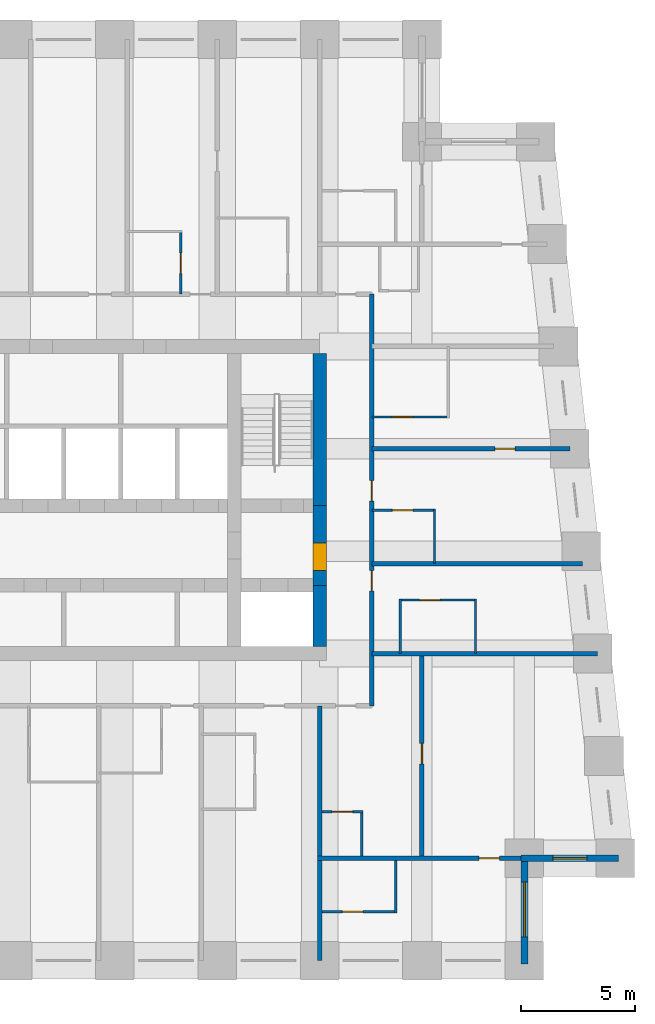
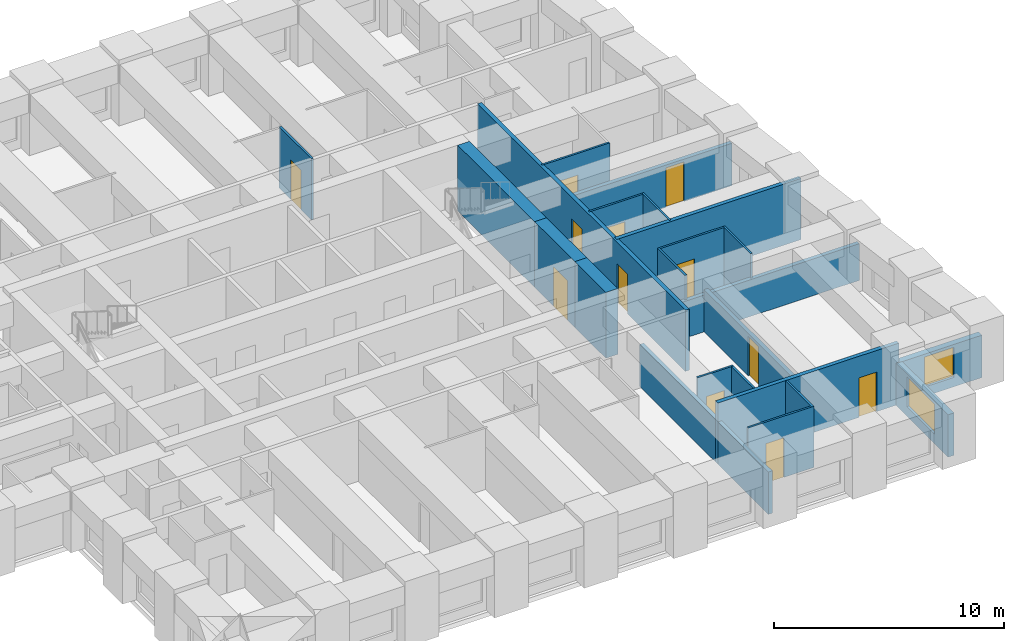
# One storey, part 5 of 8: 23 walls, 12 doors, 2 windows, 14 openings.
"""IFC4 building model written with IfcOpenShell, lengths in metres."""

from ifc_helpers import new_model, si_unit, direction, frame, frame_2d, origin, place, context, subcontext, project, spatial, rectangle, extrude, material, layer, layer_set, type_object, element, fill, save


model = new_model("IFC4")

# Units and contexts
model_context = context("Model", 3, precision=1e-05, world=origin(), true_north=direction((0.0, 1.0)))
body_context = subcontext(model_context, "Body", "Model", "MODEL_VIEW")
ifc_project = project(units=[si_unit("LENGTHUNIT", "METRE"), si_unit("AREAUNIT", "SQUARE_METRE"), si_unit("VOLUMEUNIT", "CUBIC_METRE"), si_unit("PLANEANGLEUNIT", "RADIAN"), si_unit("MASSUNIT", "GRAM", prefix="KILO")], contexts=[model_context])

# Site, building, storey
site_placement = place(None, origin())
site = spatial("IfcSite", under=ifc_project, at=site_placement, CompositionType="ELEMENT")
building_placement = place(site_placement, origin())
building = spatial("IfcBuilding", under=site, at=building_placement, Name="Kilele Tower Hotel", CompositionType="ELEMENT")
storey_placement = place(building_placement, frame((0.0, 0.0, 193.89990234375)))
storey = spatial("IfcBuildingStorey", under=building, at=storey_placement, Name="L50", CompositionType="ELEMENT", Elevation=193.89990234375)

# Walls
ifc_material_1 = material(Name="Moisture-resistant board")
ifc_layer_1 = layer(ifc_material_1, 0.10009765625)
ifc_layer_set_1 = layer_set([ifc_layer_1], Name="Moisture-resistant board")
wall_type_1 = type_object("IfcWallType", Name="Bathroom partition 100", PredefinedType="PLUMBINGWALL", material=ifc_layer_set_1)
for number, where, z_axis, x_axis, name in (
    (1, (39.550048828125, 13.5, 0.0), (0.0, 0.0, 1.0), (0.0, 1.0, 0.0), "Bathroom partition 100 L50"),
    (2, (42.85009765625, 13.5, 0.0), (0.0, 0.0, 1.0), (0.0, 1.0, 0.0), "Bathroom partition 100 L50"),
):
    element("IfcWall", number, at=place(storey_placement, frame(where, z_axis=z_axis, x_axis=x_axis)), inside=storey, type_object=wall_type_1, Name=name, PredefinedType="PLUMBINGWALL", context=body_context, shape_type="SweptSolid", body=[
        extrude(rectangle(XDim=2.39990234375, YDim=0.10009765625, at=frame_2d((1.199951171875, 0.0))), origin(), (0.0, 0.0, 1.0), 3.25),
    ])

# Wall, opening, door
wall_1_placement = place(storey_placement, frame((39.5, 15.85009765625, 0.0), z_axis=(0.0, 0.0, 1.0), x_axis=(1.0, 0.0, 0.0)))
wall_1 = element("IfcWall", 3, at=wall_1_placement, inside=storey, type_object=wall_type_1, Name="Bathroom partition 100 L50", PredefinedType="PLUMBINGWALL", context=body_context, shape_type="SweptSolid", body=[
    extrude(rectangle(XDim=3.39990234375, YDim=0.10009765625, at=frame_2d((1.699951171875, 0.0))), origin(), (0.0, 0.0, 1.0), 3.25),
])
opening_1_placement = place(wall_1_placement, frame((0.89990234375, 0.0, 0.0)))
opening_1 = element("IfcOpeningElement", 4, at=opening_1_placement, cuts=wall_1, Name="Opening D2A", PredefinedType="OPENING", context=body_context, shape_type="SweptSolid", body=[
    extrude(rectangle(XDim=0.89990234375, YDim=2.10009765625, at=frame_2d((0.449951171875, 1.050048828125))), frame((0.0, 0.06005859375, 0.0), z_axis=(0.0, -1.0, 0.0), x_axis=(1.0, 0.0, 0.0)), (0.0, 0.0, 1.0), 0.1201171875),
])
ifc_material_2 = material(Name="Timber door leaf in hardwood frame", Category="wood")
door_type_1 = type_object("IfcDoorType", Name="Bathroom door 900", OperationType="SINGLE_SWING_LEFT", PredefinedType="DOOR", material=ifc_material_2)
door_1_placement = place(opening_1_placement, origin())
door_1 = element("IfcDoor", 5, at=door_1_placement, inside=storey, type_object=door_type_1, Name="Bathroom door 5006B", OperationType="SINGLE_SWING_LEFT", OverallHeight=2.10009765625, OverallWidth=0.89990234375, PredefinedType="DOOR", context=body_context, shape_type="SweptSolid", body=[
    extrude(rectangle(XDim=0.89990234375, YDim=2.10009765625, at=frame_2d((0.449951171875, 1.050048828125))), frame((0.0, 0.02490234375, 0.0), z_axis=(0.0, -1.0, 0.0), x_axis=(1.0, 0.0, 0.0)), (0.0, 0.0, 1.0), 0.050048828125),
])
fill(opening_1, door_1)

# Wall
wall_2_placement = place(storey_placement, frame((41.050048828125, 17.449951171875, 0.0), z_axis=(0.0, 0.0, 1.0), x_axis=(0.0, 1.0, 0.0)))
element("IfcWall", 6, at=wall_2_placement, inside=storey, type_object=wall_type_1, Name="Bathroom partition 100 L50", PredefinedType="PLUMBINGWALL", context=body_context, shape_type="SweptSolid", body=[
    extrude(rectangle(XDim=2.400146484375, YDim=0.10009765625, at=frame_2d((1.2001953125, 0.0))), origin(), (0.0, 0.0, 1.0), 3.25),
])

# Wall, opening, door
wall_3_placement = place(storey_placement, frame((38.300048828125, 19.800048828125, 0.0), z_axis=(0.0, 0.0, 1.0), x_axis=(1.0, 0.0, 0.0)))
wall_3 = element("IfcWall", 7, at=wall_3_placement, inside=storey, type_object=wall_type_1, Name="Bathroom partition 100 L50", PredefinedType="PLUMBINGWALL", context=body_context, shape_type="SweptSolid", body=[
    extrude(rectangle(XDim=2.800048828125, YDim=0.10009765625, at=frame_2d((1.39990234375, 0.0))), origin(), (0.0, 0.0, 1.0), 3.25),
])
opening_2_placement = place(wall_3_placement, frame((0.89990234375, 0.0, 0.0)))
opening_2 = element("IfcOpeningElement", 8, at=opening_2_placement, cuts=wall_3, Name="Opening D2A", PredefinedType="OPENING", context=body_context, shape_type="SweptSolid", body=[
    extrude(rectangle(XDim=0.89990234375, YDim=2.10009765625, at=frame_2d((0.449951171875, 1.050048828125))), frame((0.0, 0.06005859375, 0.0), z_axis=(0.0, -1.0, 0.0), x_axis=(1.0, 0.0, 0.0)), (0.0, 0.0, 1.0), 0.1201171875),
])
door_2_placement = place(opening_2_placement, origin())
door_2 = element("IfcDoor", 9, at=door_2_placement, inside=storey, type_object=door_type_1, Name="Bathroom door 5007B", OperationType="SINGLE_SWING_LEFT", OverallHeight=2.10009765625, OverallWidth=0.89990234375, PredefinedType="DOOR", context=body_context, shape_type="SweptSolid", body=[
    extrude(rectangle(XDim=0.89990234375, YDim=2.10009765625, at=frame_2d((0.449951171875, 1.050048828125))), frame((0.0, 0.02490234375, 0.0), z_axis=(0.0, -1.0, 0.0), x_axis=(1.0, 0.0, 0.0)), (0.0, 0.0, 1.0), 0.050048828125),
])
fill(opening_2, door_2)

wall_4_placement = place(storey_placement, frame((38.300048828125, 23.89990234375, 0.0), z_axis=(0.0, 0.0, 1.0), x_axis=(1.0, 0.0, 0.0)))
wall_4 = element("IfcWall", 10, at=wall_4_placement, inside=storey, type_object=wall_type_1, Name="Bathroom partition 100 L50", PredefinedType="PLUMBINGWALL", context=body_context, shape_type="SweptSolid", body=[
    extrude(rectangle(XDim=3.39990234375, YDim=0.10009765625, at=frame_2d((1.699951171875, 0.0))), origin(), (0.0, 0.0, 1.0), 3.25),
])
opening_3_placement = place(wall_4_placement, frame((1.7998046875, 0.0, 0.0), z_axis=(0.0, 0.0, 1.0), x_axis=(-1.0, 0.0, 0.0)))
opening_3 = element("IfcOpeningElement", 11, at=opening_3_placement, cuts=wall_4, Name="Opening D2A", PredefinedType="OPENING", context=body_context, shape_type="SweptSolid", body=[
    extrude(rectangle(XDim=0.89990234375, YDim=2.10009765625, at=frame_2d((0.449951171875, 1.050048828125))), frame((0.0, 0.06005859375, 0.0), z_axis=(0.0, -1.0, 0.0), x_axis=(1.0, 0.0, 0.0)), (0.0, 0.0, 1.0), 0.1201171875),
])
door_3_placement = place(opening_3_placement, origin())
door_3 = element("IfcDoor", 12, at=door_3_placement, inside=storey, type_object=door_type_1, Name="Bathroom door 5008B", OperationType="SINGLE_SWING_RIGHT", OverallHeight=2.10009765625, OverallWidth=0.89990234375, PredefinedType="DOOR", context=body_context, shape_type="SweptSolid", body=[
    extrude(rectangle(XDim=0.89990234375, YDim=2.10009765625, at=frame_2d((0.449951171875, 1.050048828125))), frame((0.0, 0.02490234375, 0.0), z_axis=(0.0, -1.0, 0.0), x_axis=(1.0, 0.0, 0.0)), (0.0, 0.0, 1.0), 0.050048828125),
])
fill(opening_3, door_3)

wall_5_placement = place(storey_placement, frame((29.89990234375, 29.300048828125, 0.0), z_axis=(0.0, 0.0, 1.0), x_axis=(0.0, 1.0, 0.0)))
wall_5 = element("IfcWall", 13, at=wall_5_placement, inside=storey, type_object=wall_type_1, Name="Bathroom partition 100 L50", PredefinedType="PLUMBINGWALL", context=body_context, shape_type="SweptSolid", body=[
    extrude(rectangle(XDim=2.800048828125, YDim=0.10009765625, at=frame_2d((1.39990234375, 0.0))), origin(), (0.0, 0.0, 1.0), 3.25),
])
opening_4_placement = place(wall_5_placement, frame((1.7998046875, 0.0, 0.0), z_axis=(0.0, 0.0, 1.0), x_axis=(-1.0, 0.0, 0.0)))
opening_4 = element("IfcOpeningElement", 14, at=opening_4_placement, cuts=wall_5, Name="Opening D2A", PredefinedType="OPENING", context=body_context, shape_type="SweptSolid", body=[
    extrude(rectangle(XDim=0.89990234375, YDim=2.10009765625, at=frame_2d((0.449951171875, 1.050048828125))), frame((0.0, 0.06005859375, 0.0), z_axis=(0.0, -1.0, 0.0), x_axis=(1.0, 0.0, 0.0)), (0.0, 0.0, 1.0), 0.1201171875),
])
door_4_placement = place(opening_4_placement, origin())
door_4 = element("IfcDoor", 15, at=door_4_placement, inside=storey, type_object=door_type_1, Name="Bathroom door 5012B", OperationType="SINGLE_SWING_RIGHT", OverallHeight=2.10009765625, OverallWidth=0.89990234375, PredefinedType="DOOR", context=body_context, shape_type="SweptSolid", body=[
    extrude(rectangle(XDim=0.89990234375, YDim=2.10009765625, at=frame_2d((0.449951171875, 1.050048828125))), frame((0.0, 0.02490234375, 0.0), z_axis=(0.0, -1.0, 0.0), x_axis=(1.0, 0.0, 0.0)), (0.0, 0.0, 1.0), 0.050048828125),
])
fill(opening_4, door_4)

# Wall
wall_6_placement = place(storey_placement, frame((37.85009765625, 4.60009765625, 0.0), z_axis=(0.0, 0.0, 1.0), x_axis=(0.0, 1.0, 0.0)))
element("IfcWall", 16, at=wall_6_placement, inside=storey, type_object=wall_type_1, Name="Bathroom partition 100 L50", PredefinedType="PLUMBINGWALL", context=body_context, shape_type="SweptSolid", body=[
    extrude(rectangle(XDim=2.0, YDim=0.10009765625, at=frame_2d((1.0, 0.0))), origin(), (0.0, 0.0, 1.0), 3.25),
])

# Wall, opening, door
wall_7_placement = place(storey_placement, frame((36.10009765625, 6.550048828125, 0.0), z_axis=(0.0, 0.0, 1.0), x_axis=(1.0, 0.0, 0.0)))
wall_7 = element("IfcWall", 17, at=wall_7_placement, inside=storey, type_object=wall_type_1, Name="Bathroom partition 100 L50", PredefinedType="PLUMBINGWALL", context=body_context, shape_type="SweptSolid", body=[
    extrude(rectangle(XDim=1.7998046875, YDim=0.10009765625, at=frame_2d((0.89990234375, 0.0))), origin(), (0.0, 0.0, 1.0), 3.25),
])
opening_5_placement = place(wall_7_placement, frame((0.449951171875, 0.0, 0.0)))
opening_5 = element("IfcOpeningElement", 18, at=opening_5_placement, cuts=wall_7, Name="Opening D2A", PredefinedType="OPENING", context=body_context, shape_type="SweptSolid", body=[
    extrude(rectangle(XDim=0.89990234375, YDim=2.10009765625, at=frame_2d((0.449951171875, 1.050048828125))), frame((0.0, 0.06005859375, 0.0), z_axis=(0.0, -1.0, 0.0), x_axis=(1.0, 0.0, 0.0)), (0.0, 0.0, 1.0), 0.1201171875),
])
door_5_placement = place(opening_5_placement, origin())
door_5 = element("IfcDoor", 19, at=door_5_placement, inside=storey, type_object=door_type_1, Name="Bathroom door 5019P", OperationType="SINGLE_SWING_LEFT", OverallHeight=2.10009765625, OverallWidth=0.89990234375, PredefinedType="DOOR", context=body_context, shape_type="SweptSolid", body=[
    extrude(rectangle(XDim=0.89990234375, YDim=2.10009765625, at=frame_2d((0.449951171875, 1.050048828125))), frame((0.0, 0.02490234375, 0.0), z_axis=(0.0, -1.0, 0.0), x_axis=(1.0, 0.0, 0.0)), (0.0, 0.0, 1.0), 0.050048828125),
])
fill(opening_5, door_5)

# Wall
wall_8_placement = place(storey_placement, frame((39.35009765625, 4.39990234375, 0.0), z_axis=(0.0, 0.0, 1.0), x_axis=(0.0, -1.0, 0.0)))
element("IfcWall", 20, at=wall_8_placement, inside=storey, type_object=wall_type_1, Name="Bathroom partition 100 L50", PredefinedType="PLUMBINGWALL", context=body_context, shape_type="SweptSolid", body=[
    extrude(rectangle(XDim=2.2998046875, YDim=0.10009765625, at=frame_2d((1.14990234375, 0.0))), origin(), (0.0, 0.0, 1.0), 3.25),
])

# Wall, opening, door
wall_9_placement = place(storey_placement, frame((36.10009765625, 2.14990234375, 0.0), z_axis=(0.0, 0.0, 1.0), x_axis=(1.0, 0.0, 0.0)))
wall_9 = element("IfcWall", 21, at=wall_9_placement, inside=storey, type_object=wall_type_1, Name="Bathroom partition 100 L50", PredefinedType="PLUMBINGWALL", context=body_context, shape_type="SweptSolid", body=[
    extrude(rectangle(XDim=3.2998046875, YDim=0.10009765625, at=frame_2d((1.64990234375, 0.0))), origin(), (0.0, 0.0, 1.0), 3.25),
])
opening_6_placement = place(wall_9_placement, frame((1.7998046875, 0.0, 0.0), z_axis=(0.0, 0.0, 1.0), x_axis=(-1.0, 0.0, 0.0)))
opening_6 = element("IfcOpeningElement", 22, at=opening_6_placement, cuts=wall_9, Name="Opening D2A", PredefinedType="OPENING", context=body_context, shape_type="SweptSolid", body=[
    extrude(rectangle(XDim=0.89990234375, YDim=2.10009765625, at=frame_2d((0.449951171875, 1.050048828125))), frame((0.0, 0.06005859375, 0.0), z_axis=(0.0, -1.0, 0.0), x_axis=(1.0, 0.0, 0.0)), (0.0, 0.0, 1.0), 0.1201171875),
])
door_6_placement = place(opening_6_placement, origin())
door_6 = element("IfcDoor", 23, at=door_6_placement, inside=storey, type_object=door_type_1, Name="Bathroom door 5021B", OperationType="SINGLE_SWING_RIGHT", OverallHeight=2.10009765625, OverallWidth=0.89990234375, PredefinedType="DOOR", context=body_context, shape_type="SweptSolid", body=[
    extrude(rectangle(XDim=0.89990234375, YDim=2.10009765625, at=frame_2d((0.449951171875, 1.050048828125))), frame((0.0, 0.02490234375, 0.0), z_axis=(0.0, -1.0, 0.0), x_axis=(1.0, 0.0, 0.0)), (0.0, 0.0, 1.0), 0.050048828125),
])
fill(opening_6, door_6)

# Wall
ifc_material_3 = material(Name="Concrete C70/85", Category="concrete")
ifc_layer_2 = layer(ifc_material_3, 0.60009765625)
ifc_layer_set_2 = layer_set([ifc_layer_2], Name="Concrete C70/85")
wall_type_2 = type_object("IfcWallType", Name="Core wall 600 C70/85", PredefinedType="SHEAR", material=ifc_layer_set_2)
wall_10_placement = place(storey_placement, frame((36.0, 13.800048828125, 0.0), z_axis=(0.0, 0.0, 1.0), x_axis=(0.0, 1.0, 0.0)))
element("IfcWall", 24, at=wall_10_placement, inside=storey, type_object=wall_type_2, Name="Core wall E1 L50", PredefinedType="SHEAR", context=body_context, shape_type="SweptSolid", body=[
    extrude(rectangle(XDim=2.699951171875, YDim=0.60009765625, at=frame_2d((1.35009765625, 0.0))), origin(), (0.0, 0.0, 1.0), 3.5),
])

# Wall, opening, door
wall_11_placement = place(storey_placement, frame((36.0, 16.5, 0.0), z_axis=(0.0, 0.0, 1.0), x_axis=(0.0, 1.0, 0.0)))
wall_11 = element("IfcWall", 25, at=wall_11_placement, inside=storey, type_object=wall_type_2, Name="Core wall E2 L50", PredefinedType="SHEAR", context=body_context, shape_type="SweptSolid", body=[
    extrude(rectangle(XDim=3.5, YDim=0.60009765625, at=frame_2d((1.75, 0.0))), origin(), (0.0, 0.0, 1.0), 3.5),
])
opening_7_placement = place(wall_11_placement, frame((0.64990234375, 0.0, 0.0)))
opening_7 = element("IfcOpeningElement", 26, at=opening_7_placement, cuts=wall_11, Name="Opening D4", PredefinedType="OPENING", context=body_context, shape_type="SweptSolid", body=[
    extrude(rectangle(XDim=1.199951171875, YDim=2.10009765625, at=frame_2d((0.60009765625, 1.050048828125))), frame((0.0, 0.31005859375, 0.0), z_axis=(0.0, -1.0, 0.0), x_axis=(1.0, 0.0, 0.0)), (0.0, 0.0, 1.0), 0.6201171875),
])
ifc_material_4 = material(Name="Timber door leaf in hardwood frame", Category="wood")
door_type_2 = type_object("IfcDoorType", Name="Firefighting lobby door 1200", OperationType="SINGLE_SWING_LEFT", PredefinedType="DOOR", material=ifc_material_4)
door_7_placement = place(opening_7_placement, origin())
door_7 = element("IfcDoor", 27, at=door_7_placement, inside=storey, type_object=door_type_2, Name="Lobby door L50", OperationType="SINGLE_SWING_LEFT", OverallHeight=2.10009765625, OverallWidth=1.199951171875, PredefinedType="DOOR", context=body_context, shape_type="SweptSolid", body=[
    extrude(rectangle(XDim=1.199951171875, YDim=2.10009765625, at=frame_2d((0.60009765625, 1.050048828125))), frame((0.0, 0.2998046875, 0.0), z_axis=(0.0, -1.0, 0.0), x_axis=(1.0, 0.0, 0.0)), (0.0, 0.0, 1.0), 0.599609375),
])
fill(opening_7, door_7)

# Wall
wall_12_placement = place(storey_placement, frame((36.0, 20.0, 0.0), z_axis=(0.0, 0.0, 1.0), x_axis=(0.0, 1.0, 0.0)))
element("IfcWall", 28, at=wall_12_placement, inside=storey, type_object=wall_type_2, Name="Core wall E3 L50", PredefinedType="SHEAR", context=body_context, shape_type="SweptSolid", body=[
    extrude(rectangle(XDim=6.699951171875, YDim=0.60009765625, at=frame_2d((3.35009765625, 0.0))), origin(), (0.0, 0.0, 1.0), 3.5),
])

# Wall, openings, doors
ifc_material_5 = material(Name="Blockwork, plastered both sides", Category="masonry")
ifc_layer_3 = layer(ifc_material_5, 0.199951171875)
ifc_layer_set_3 = layer_set([ifc_layer_3], Name="Blockwork, plastered both sides")
wall_type_3 = type_object("IfcWallType", Name="Corridor wall 200", PredefinedType="PARTITIONING", material=ifc_layer_set_3)
wall_13_placement = place(storey_placement, frame((38.300048828125, 11.199951171875, 0.0), z_axis=(0.0, 0.0, 1.0), x_axis=(0.0, 1.0, 0.0)))
wall_13 = element("IfcWall", 29, at=wall_13_placement, inside=storey, type_object=wall_type_3, Name="Corridor wall 200 L50", PredefinedType="PARTITIONING", context=body_context, shape_type="SweptSolid", body=[
    extrude(rectangle(XDim=18.10009765625, YDim=0.199951171875, at=frame_2d((9.050048828125, 0.0))), origin(), (0.0, 0.0, 1.0), 3.25),
])
opening_8_placement = place(wall_13_placement, frame((5.949951171875, 0.0, 0.0), z_axis=(0.0, 0.0, 1.0), x_axis=(-1.0, 0.0, 0.0)))
opening_8 = element("IfcOpeningElement", 30, at=opening_8_placement, cuts=wall_13, Name="Opening D1", PredefinedType="OPENING", context=body_context, shape_type="SweptSolid", body=[
    extrude(rectangle(XDim=0.89990234375, YDim=2.10009765625, at=frame_2d((0.449951171875, 1.050048828125))), frame((0.0, 0.10986328125, 0.0), z_axis=(0.0, -1.0, 0.0), x_axis=(1.0, 0.0, 0.0)), (0.0, 0.0, 1.0), 0.219970703125),
])
opening_9_placement = place(wall_13_placement, frame((9.89990234375, 0.0, 0.0), z_axis=(0.0, 0.0, 1.0), x_axis=(-1.0, 0.0, 0.0)))
opening_9 = element("IfcOpeningElement", 31, at=opening_9_placement, cuts=wall_13, Name="Opening D1", PredefinedType="OPENING", context=body_context, shape_type="SweptSolid", body=[
    extrude(rectangle(XDim=0.89990234375, YDim=2.10009765625, at=frame_2d((0.449951171875, 1.050048828125))), frame((0.0, 0.10986328125, 0.0), z_axis=(0.0, -1.0, 0.0), x_axis=(1.0, 0.0, 0.0)), (0.0, 0.0, 1.0), 0.219970703125),
])
ifc_material_6 = material(Name="Timber door leaf in hardwood frame", Category="wood")
door_type_3 = type_object("IfcDoorType", Name="Guest room entrance door 900", OperationType="SINGLE_SWING_LEFT", PredefinedType="DOOR", material=ifc_material_6)
door_8_placement = place(opening_8_placement, origin())
door_8 = element("IfcDoor", 32, at=door_8_placement, inside=storey, type_object=door_type_3, Name="Room entrance 5006", OperationType="SINGLE_SWING_LEFT", OverallHeight=2.10009765625, OverallWidth=0.89990234375, PredefinedType="DOOR", context=body_context, shape_type="SweptSolid", body=[
    extrude(rectangle(XDim=0.89990234375, YDim=2.10009765625, at=frame_2d((0.449951171875, 1.050048828125))), frame((0.0, 0.02490234375, 0.0), z_axis=(0.0, -1.0, 0.0), x_axis=(1.0, 0.0, 0.0)), (0.0, 0.0, 1.0), 0.050048828125),
])
fill(opening_8, door_8)
door_9_placement = place(opening_9_placement, origin())
door_9 = element("IfcDoor", 33, at=door_9_placement, inside=storey, type_object=door_type_3, Name="Room entrance 5007", OperationType="SINGLE_SWING_RIGHT", OverallHeight=2.10009765625, OverallWidth=0.89990234375, PredefinedType="DOOR", context=body_context, shape_type="SweptSolid", body=[
    extrude(rectangle(XDim=0.89990234375, YDim=2.10009765625, at=frame_2d((0.449951171875, 1.050048828125))), frame((0.0, 0.02490234375, 0.0), z_axis=(0.0, -1.0, 0.0), x_axis=(1.0, 0.0, 0.0)), (0.0, 0.0, 1.0), 0.050048828125),
])
fill(opening_9, door_9)

# Wall, opening, door
ifc_material_7 = material(Name="Blockwork, plastered both sides", Category="masonry")
ifc_layer_4 = layer(ifc_material_7, 0.199951171875)
ifc_layer_set_4 = layer_set([ifc_layer_4], Name="Blockwork, plastered both sides")
wall_type_4 = type_object("IfcWallType", Name="Partition wall 200", PredefinedType="PARTITIONING", material=ifc_layer_set_4)
wall_14_placement = place(storey_placement, frame((40.5, 4.60009765625, 0.0), z_axis=(0.0, 0.0, 1.0), x_axis=(0.0, 1.0, 0.0)))
wall_14 = element("IfcWall", 34, at=wall_14_placement, inside=storey, type_object=wall_type_4, Name="Partition wall 200 L50", PredefinedType="PARTITIONING", context=body_context, shape_type="SweptSolid", body=[
    extrude(rectangle(XDim=8.7998046875, YDim=0.199951171875, at=frame_2d((4.39990234375, 0.0))), origin(), (0.0, 0.0, 1.0), 2.25),
])
opening_10_placement = place(wall_14_placement, frame((4.050048828125, 0.0, 0.0)))
opening_10 = element("IfcOpeningElement", 35, at=opening_10_placement, cuts=wall_14, Name="Opening D3", PredefinedType="OPENING", context=body_context, shape_type="SweptSolid", body=[
    extrude(rectangle(XDim=0.89990234375, YDim=2.10009765625, at=frame_2d((0.449951171875, 1.050048828125))), frame((0.0, 0.10986328125, 0.0), z_axis=(0.0, -1.0, 0.0), x_axis=(1.0, 0.0, 0.0)), (0.0, 0.0, 1.0), 0.219970703125),
])
ifc_material_8 = material(Name="Timber door leaf in hardwood frame", Category="wood")
door_type_4 = type_object("IfcDoorType", Name="Suite internal door 900", OperationType="SINGLE_SWING_LEFT", PredefinedType="DOOR", material=ifc_material_8)
door_10_placement = place(opening_10_placement, origin())
door_10 = element("IfcDoor", 36, at=door_10_placement, inside=storey, type_object=door_type_4, Name="Suite door 5020", OperationType="SINGLE_SWING_RIGHT", OverallHeight=2.10009765625, OverallWidth=0.89990234375, PredefinedType="DOOR", context=body_context, shape_type="SweptSolid", body=[
    extrude(rectangle(XDim=0.89990234375, YDim=2.10009765625, at=frame_2d((0.449951171875, 1.050048828125))), frame((0.0, 0.02490234375, 0.0), z_axis=(0.0, -1.0, 0.0), x_axis=(1.0, 0.0, 0.0)), (0.0, 0.0, 1.0), 0.050048828125),
])
fill(opening_10, door_10)

# Wall
ifc_material_9 = material(Name="Blockwork, plastered both sides", Category="masonry")
ifc_layer_5 = layer(ifc_material_9, 0.199951171875)
ifc_layer_set_5 = layer_set([ifc_layer_5], Name="Blockwork, plastered both sides")
wall_type_5 = type_object("IfcWallType", Name="Party wall 200", PredefinedType="PARTITIONING", material=ifc_layer_set_5)
wall_15_placement = place(storey_placement, frame((38.300048828125, 17.449951171875, 0.0), z_axis=(0.0, 0.0, 1.0), x_axis=(1.0, 0.0, 0.0)))
element("IfcWall", 37, at=wall_15_placement, inside=storey, type_object=wall_type_5, Name="Party wall 200 L50", PredefinedType="PARTITIONING", context=body_context, shape_type="SweptSolid", body=[
    extrude(rectangle(XDim=9.26025390625, YDim=0.199951171875, at=frame_2d((4.630126953125, 0.0))), origin(), (0.0, 0.0, 1.0), 3.25),
])

# Wall, opening, door
wall_16_placement = place(storey_placement, frame((38.300048828125, 22.5, 0.0), z_axis=(0.0, 0.0, 1.0), x_axis=(1.0, 0.0, 0.0)))
wall_16 = element("IfcWall", 38, at=wall_16_placement, inside=storey, type_object=wall_type_5, Name="Party wall 200 L50", PredefinedType="PARTITIONING", context=body_context, shape_type="SweptSolid", body=[
    extrude(rectangle(XDim=8.698974609375, YDim=0.199951171875, at=frame_2d((4.349609375, 0.0))), origin(), (0.0, 0.0, 1.0), 2.25),
])
opening_11_placement = place(wall_16_placement, frame((5.39990234375, 0.0, 0.0)))
opening_11 = element("IfcOpeningElement", 39, at=opening_11_placement, cuts=wall_16, Name="Opening D3", PredefinedType="OPENING", context=body_context, shape_type="SweptSolid", body=[
    extrude(rectangle(XDim=0.89990234375, YDim=2.10009765625, at=frame_2d((0.449951171875, 1.050048828125))), frame((0.0, 0.10986328125, 0.0), z_axis=(0.0, -1.0, 0.0), x_axis=(1.0, 0.0, 0.0)), (0.0, 0.0, 1.0), 0.219970703125),
])
door_11_placement = place(opening_11_placement, origin())
door_11 = element("IfcDoor", 40, at=door_11_placement, inside=storey, type_object=door_type_4, Name="Suite door 5008", OperationType="SINGLE_SWING_RIGHT", OverallHeight=2.10009765625, OverallWidth=0.89990234375, PredefinedType="DOOR", context=body_context, shape_type="SweptSolid", body=[
    extrude(rectangle(XDim=0.89990234375, YDim=2.10009765625, at=frame_2d((0.449951171875, 1.050048828125))), frame((0.0, 0.02490234375, 0.0), z_axis=(0.0, -1.0, 0.0), x_axis=(1.0, 0.0, 0.0)), (0.0, 0.0, 1.0), 0.050048828125),
])
fill(opening_11, door_11)

# Walls
wall_17_placement = place(storey_placement, frame((38.300048828125, 13.5, 0.0), z_axis=(0.0, 0.0, 1.0), x_axis=(1.0, 0.0, 0.0)))
element("IfcWall", 41, at=wall_17_placement, inside=storey, type_object=wall_type_5, Name="Party wall 200 L50", PredefinedType="PARTITIONING", context=body_context, shape_type="SweptSolid", body=[
    extrude(rectangle(XDim=9.921142578125, YDim=0.199951171875, at=frame_2d((4.96044921875, 0.0))), origin(), (0.0, 0.0, 1.0), 1.9501953125),
])
wall_18_placement = place(storey_placement, frame((36.0, 11.199951171875, 0.0), z_axis=(0.0, 0.0, 1.0), x_axis=(0.0, -1.0, 0.0)))
element("IfcWall", 42, at=wall_18_placement, inside=storey, type_object=wall_type_5, Name="Party wall 200 L50", PredefinedType="PARTITIONING", context=body_context, shape_type="SweptSolid", body=[
    extrude(rectangle(XDim=11.199951171875, YDim=0.199951171875, at=frame_2d((5.60009765625, 0.0))), origin(), (0.0, 0.0, 1.0), 2.25),
])

# Wall, opening, door
wall_19_placement = place(storey_placement, frame((35.89990234375, 4.5, 0.0), z_axis=(0.0, 0.0, 1.0), x_axis=(1.0, 0.0, 0.0)))
wall_19 = element("IfcWall", 43, at=wall_19_placement, inside=storey, type_object=wall_type_5, Name="Party wall 200 L50", PredefinedType="PARTITIONING", context=body_context, shape_type="SweptSolid", body=[
    extrude(rectangle(XDim=9.10009765625, YDim=0.199951171875, at=frame_2d((4.550048828125, 0.0))), origin(), (0.0, 0.0, 1.0), 3.25),
])
opening_12_placement = place(wall_19_placement, frame((7.10009765625, 0.0, 0.0)))
opening_12 = element("IfcOpeningElement", 44, at=opening_12_placement, cuts=wall_19, Name="Opening D3", PredefinedType="OPENING", context=body_context, shape_type="SweptSolid", body=[
    extrude(rectangle(XDim=0.89990234375, YDim=2.10009765625, at=frame_2d((0.449951171875, 1.050048828125))), frame((0.0, 0.10986328125, 0.0), z_axis=(0.0, -1.0, 0.0), x_axis=(1.0, 0.0, 0.0)), (0.0, 0.0, 1.0), 0.219970703125),
])
door_12_placement = place(opening_12_placement, origin())
door_12 = element("IfcDoor", 45, at=door_12_placement, inside=storey, type_object=door_type_4, Name="Suite door 5021", OperationType="SINGLE_SWING_RIGHT", OverallHeight=2.10009765625, OverallWidth=0.89990234375, PredefinedType="DOOR", context=body_context, shape_type="SweptSolid", body=[
    extrude(rectangle(XDim=0.89990234375, YDim=2.10009765625, at=frame_2d((0.449951171875, 1.050048828125))), frame((0.0, 0.02490234375, 0.0), z_axis=(0.0, -1.0, 0.0), x_axis=(1.0, 0.0, 0.0)), (0.0, 0.0, 1.0), 0.050048828125),
])
fill(opening_12, door_12)

# Wall, opening, window
ifc_material_10 = material(Name="Concrete C40/50 precast", Category="concrete")
ifc_layer_6 = layer(ifc_material_10, 0.260009765625, Name="Precast backing", Category="LoadBearing")
ifc_material_11 = material(Name="Reconstituted stone finish", Category="masonry")
ifc_layer_7 = layer(ifc_material_11, 0.0400390625, Name="Face mix", Category="Finish")
ifc_layer_set_6 = layer_set([ifc_layer_6, ifc_layer_7], Name="Precast concrete C40/50, reconstituted stone finish")
wall_type_6 = type_object("IfcWallType", Name="Precast stone facade wall 300", PredefinedType="STANDARD", material=ifc_layer_set_6)
wall_20_placement = place(storey_placement, frame((45.0, -0.14990234375, 0.0), z_axis=(0.0, 0.0, 1.0), x_axis=(0.0, 1.0, 0.0)))
wall_20 = element("IfcWall", 46, at=wall_20_placement, inside=storey, type_object=wall_type_6, Name="Facade wall L50 edge 4", PredefinedType="STANDARD", context=body_context, shape_type="SweptSolid", body=[
    extrude(rectangle(XDim=4.7998046875, YDim=0.300048828125, at=frame_2d((2.39990234375, 0.0))), origin(), (0.0, 0.0, 1.0), 2.25),
])
opening_13_placement = place(wall_20_placement, frame((1.199951171875, 0.0, 0.5)))
opening_13 = element("IfcOpeningElement", 47, at=opening_13_placement, cuts=wall_20, Name="Opening W3", PredefinedType="OPENING", context=body_context, shape_type="SweptSolid", body=[
    extrude(rectangle(XDim=2.39990234375, YDim=1.60009765625, at=frame_2d((1.199951171875, 0.800048828125))), frame((0.0, 0.159912109375, 0.0), z_axis=(0.0, -1.0, 0.0), x_axis=(1.0, 0.0, 0.0)), (0.0, 0.0, 1.0), 0.320068359375),
])
ifc_material_12 = material(Name="Aluminium frame, clear double glazing", Category="aluminium")
window_type_1 = type_object("IfcWindowType", Name="Window W3 2400 x 1600", PartitioningType="SINGLE_PANEL", PredefinedType="WINDOW", material=ifc_material_12)
window_1_placement = place(opening_13_placement, origin())
window_1 = element("IfcWindow", 48, at=window_1_placement, inside=storey, type_object=window_type_1, Name="Window L50", OverallHeight=1.60009765625, OverallWidth=2.39990234375, PartitioningType="SINGLE_PANEL", PredefinedType="WINDOW", context=body_context, shape_type="SweptSolid", body=[
    extrude(rectangle(XDim=2.39990234375, YDim=1.60009765625, at=frame_2d((1.199951171875, 0.800048828125))), frame((0.0, 0.030029296875, 0.0), z_axis=(0.0, -1.0, 0.0), x_axis=(1.0, 0.0, 0.0)), (0.0, 0.0, 1.0), 0.06005859375),
])
fill(opening_13, window_1)

wall_21_placement = place(storey_placement, frame((44.85009765625, 4.5, 0.0), z_axis=(0.0, 0.0, 1.0), x_axis=(1.0, 0.0, 0.0)))
wall_21 = element("IfcWall", 49, at=wall_21_placement, inside=storey, type_object=wall_type_6, Name="Facade wall L50 edge 5", PredefinedType="STANDARD", context=body_context, shape_type="SweptSolid", body=[
    extrude(rectangle(XDim=4.2998046875, YDim=0.300048828125, at=frame_2d((2.14990234375, 0.0))), origin(), (0.0, 0.0, 1.0), 2.25),
])
opening_14_placement = place(wall_21_placement, frame((1.39990234375, 0.0, 0.5)))
opening_14 = element("IfcOpeningElement", 50, at=opening_14_placement, cuts=wall_21, Name="Opening W3", PredefinedType="OPENING", context=body_context, shape_type="SweptSolid", body=[
    extrude(rectangle(XDim=1.5, YDim=1.60009765625, at=frame_2d((0.75, 0.800048828125))), frame((0.0, 0.159912109375, 0.0), z_axis=(0.0, -1.0, 0.0), x_axis=(1.0, 0.0, 0.0)), (0.0, 0.0, 1.0), 0.320068359375),
])
ifc_material_13 = material(Name="Aluminium frame, clear double glazing", Category="aluminium")
window_type_2 = type_object("IfcWindowType", Name="Window W3 1500 x 1600", PartitioningType="SINGLE_PANEL", PredefinedType="WINDOW", material=ifc_material_13)
window_2_placement = place(opening_14_placement, origin())
window_2 = element("IfcWindow", 51, at=window_2_placement, inside=storey, type_object=window_type_2, Name="Window L50", OverallHeight=1.60009765625, OverallWidth=1.5, PartitioningType="SINGLE_PANEL", PredefinedType="WINDOW", context=body_context, shape_type="SweptSolid", body=[
    extrude(rectangle(XDim=1.5, YDim=1.60009765625, at=frame_2d((0.75, 0.800048828125))), frame((0.0, 0.030029296875, 0.0), z_axis=(0.0, -1.0, 0.0), x_axis=(1.0, 0.0, 0.0)), (0.0, 0.0, 1.0), 0.06005859375),
])
fill(opening_14, window_2)

save(model, "model.ifc")
